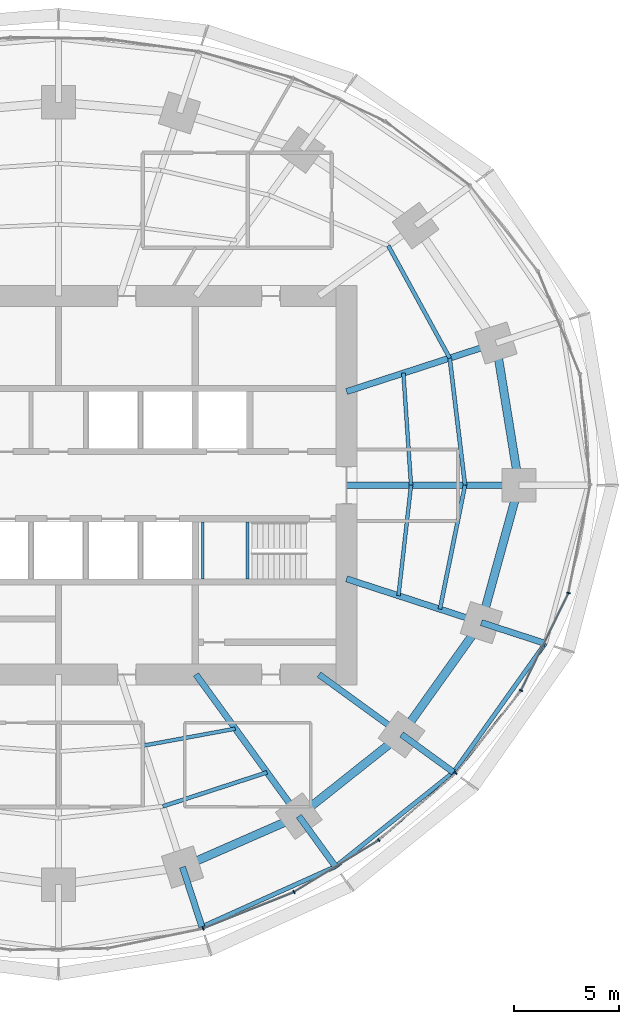
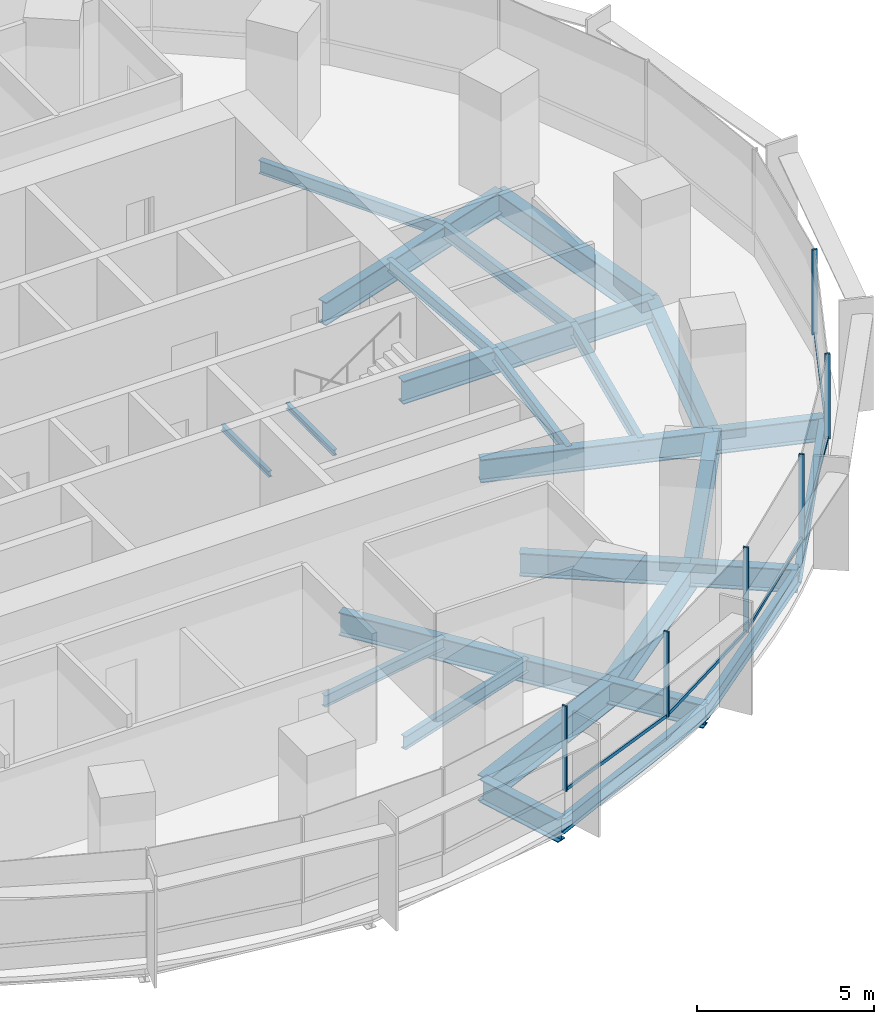
# One storey, part 5 of 14: 26 beams, 11 members, 2 elements without a shape of their own.
"""IFC4 building model written with IfcOpenShell, lengths in metres."""

import ifcopenshell
import ifcopenshell.guid

model = None  # the IFC model being written
_history = None  # IfcOwnerHistory: only IFC2X3 demands one
_inside = {}  # id of a spatial element -> (the spatial element, [elements in it])
_under = {}  # id of a project, library or spatial element -> (it, [spatial elements below it])
_declared = {}  # id of a project -> (the project, [libraries it declares])
_typed = {}  # id of a type object -> (the type object, [elements of that type])
_made_of = {}  # id of a material, layer set ... -> (it, [elements and type objects made of it])


def new_model(schema):
    """Start an empty IFC model of exactly this schema.

    Asked for "IFC4X3", IfcOpenShell would pick the latest addendum, in which some entities
    have other attributes; the version numbers below select the first issue.
    IFC2X3 requires an IfcOwnerHistory on every rooted entity: one is made here for all.
    """
    global model, _history
    if schema == "IFC4X3":
        model = ifcopenshell.file(schema_version=(4, 3, 0, 0))
    else:
        model = ifcopenshell.file(schema=schema)
    _inside.clear()
    _under.clear()
    _declared.clear()
    _typed.clear()
    _made_of.clear()
    _history = None
    if model.schema == "IFC2X3":
        org = make("IfcOrganization", Name="unknown")
        user = make(
            "IfcPersonAndOrganization",
            ThePerson=make("IfcPerson", FamilyName="unknown"),
            TheOrganization=org,
        )
        app = make(
            "IfcApplication",
            ApplicationDeveloper=org,
            Version="unknown",
            ApplicationFullName="unknown",
            ApplicationIdentifier="unknown",
        )
        _history = make(
            "IfcOwnerHistory",
            OwningUser=user,
            OwningApplication=app,
            ChangeAction="ADDED",
            CreationDate=0,
        )
    return model


def make(cls, **values):
    """One entity of the class cls with the attributes given. An attribute that is None is left unset."""
    return model.create_entity(
        cls, **{name: value for name, value in values.items() if value is not None}
    )


def rooted(cls, **values):
    """An entity with a GlobalId (a new one), such as an element, a storey or a relation."""
    return make(cls, GlobalId=ifcopenshell.guid.new(), OwnerHistory=_history, **values)


def si_unit(unit_type, name, prefix=None):
    """IfcSIUnit, for example si_unit("LENGTHUNIT", "METRE", prefix="MILLI")."""
    return make("IfcSIUnit", UnitType=unit_type, Prefix=prefix, Name=name)


def assignment(units):
    """IfcUnitAssignment: the units of a project."""
    return None if units is None else make("IfcUnitAssignment", Units=units)


def point(xyz):
    """IfcCartesianPoint."""
    return None if xyz is None else make("IfcCartesianPoint", Coordinates=xyz)


def direction(xyz):
    """IfcDirection."""
    return None if xyz is None else make("IfcDirection", DirectionRatios=xyz)


def frame(location, z_axis=None, x_axis=None):
    """IfcAxis2Placement3D, a coordinate frame: its origin and axes. An axis left out is left unset."""
    return make(
        "IfcAxis2Placement3D",
        Location=point(location),
        Axis=direction(z_axis),
        RefDirection=direction(x_axis),
    )


def frame_2d(location, x_axis=None):
    """IfcAxis2Placement2D, a coordinate frame in the plane: its origin and x axis."""
    return make(
        "IfcAxis2Placement2D", Location=point(location), RefDirection=direction(x_axis)
    )


def origin():
    """The frame at (0, 0, 0) with its axes left unset."""
    return frame((0.0, 0.0, 0.0))


def origin_2d():
    """The frame at (0, 0) in the plane with its x axis left unset."""
    return frame_2d((0.0, 0.0))


def place(relative_to, where):
    """IfcLocalPlacement: puts the frame where relative to a parent placement (None: the world)."""
    return make(
        "IfcLocalPlacement", PlacementRelTo=relative_to, RelativePlacement=where
    )


def context(
    kind, dimensions, precision=None, world=None, true_north=None, identifier=None
):
    """IfcGeometricRepresentationContext, for example the 3D "Model" context."""
    return make(
        "IfcGeometricRepresentationContext",
        ContextIdentifier=identifier,
        ContextType=kind,
        CoordinateSpaceDimension=dimensions,
        Precision=precision,
        WorldCoordinateSystem=world,
        TrueNorth=true_north,
    )


def subcontext(parent, identifier, kind, view, scale=None):
    """IfcGeometricRepresentationSubContext, for example "Body" below "Model"."""
    return make(
        "IfcGeometricRepresentationSubContext",
        ContextIdentifier=identifier,
        ContextType=kind,
        ParentContext=parent,
        TargetScale=scale,
        TargetView=view,
    )


def project(units=None, contexts=None):
    """IfcProject with its units and contexts."""
    return rooted(
        "IfcProject",
        Name="project",
        RepresentationContexts=contexts,
        UnitsInContext=assignment(units),
    )


def spatial(cls, under=None, at=None, **own):
    """A site, building, storey or space (cls), placed at a placement, below another one or the project."""
    s = rooted(cls, ObjectPlacement=at, **own)
    if under is not None:
        _under.setdefault(under.id(), (under, []))[1].append(s)
    return s


def profile(cls, at=None, kind="AREA", **sizes):
    """A parametric profile (cls). Its sizes go by their IFC names, for example OverallWidth=200.0."""
    return make(cls, ProfileType=kind, Position=at, **sizes)


def rectangle(**sizes):
    """IfcRectangleProfileDef."""
    return profile("IfcRectangleProfileDef", **sizes)


def i_section(**sizes):
    """IfcIShapeProfileDef."""
    return profile("IfcIShapeProfileDef", **sizes)


def extrude(swept, where, along, depth):
    """IfcExtrudedAreaSolid: the profile swept, set in the frame where, extruded along a direction by depth."""
    return make(
        "IfcExtrudedAreaSolid",
        SweptArea=swept,
        Position=where,
        ExtrudedDirection=direction(along),
        Depth=depth,
    )


def shape(context_of_items, identifier, shape_type, items):
    """IfcShapeRepresentation: the items that make up one representation, for example the "Body"."""
    return make(
        "IfcShapeRepresentation",
        ContextOfItems=context_of_items,
        RepresentationIdentifier=identifier,
        RepresentationType=shape_type,
        Items=items,
    )


def material(Name=None, Category=None):
    """IfcMaterial."""
    return make("IfcMaterial", Name=Name, Category=Category)


def material_profile(
    of_material, cross_section, Name=None, Category=None, Priority=None
):
    """IfcMaterialProfile: a cross section and its material."""
    return make(
        "IfcMaterialProfile",
        Name=Name,
        Material=of_material,
        Profile=cross_section,
        Priority=Priority,
        Category=Category,
    )


def profile_set(profiles, Name=None, composite=None):
    """IfcMaterialProfileSet."""
    return make(
        "IfcMaterialProfileSet",
        Name=Name,
        MaterialProfiles=profiles,
        CompositeProfile=composite,
    )


def made_of(thing, what):
    """Note that an element or type object is made of a material, layer set ...; save() writes the relation."""
    if what is not None:
        _made_of.setdefault(what.id(), (what, []))[1].append(thing)
    return thing


def type_object(cls, material=None, **own):
    """A type object (cls), such as IfcWallType, which elements share."""
    return made_of(rooted(cls, **own), material)


def element(
    cls,
    number,
    at=None,
    inside=None,
    cuts=None,
    type_object=None,
    material=None,
    context=None,
    identifier="Body",
    shape_type=None,
    held_by="IfcProductDefinitionShape",
    body=None,
    shapes=None,
    **own,
):
    """One element of the class cls, such as IfcWall. Its Tag is "e" and its number.

    at: its placement. inside: the storey or other place that contains it. cuts: it is an
    opening in that element (IfcRelVoidsElement). A single representation is given by context,
    identifier, shape_type and body (its items); several are given by shapes. held_by: the class
    of the entity that holds the representations. save() writes the other relations.
    """
    e = rooted(cls, Tag="e%d" % number, ObjectPlacement=at, **own)
    if body is not None:
        shapes = [shape(context, identifier, shape_type, body)]
    if shapes is not None:
        e.Representation = make(held_by, Representations=shapes)
    if inside is not None:
        _inside.setdefault(inside.id(), (inside, []))[1].append(e)
    if cuts is not None:
        rooted(
            "IfcRelVoidsElement", RelatingBuildingElement=cuts, RelatedOpeningElement=e
        )
    if type_object is not None:
        _typed.setdefault(type_object.id(), (type_object, []))[1].append(e)
    return made_of(e, material)


def aggregate(whole, parts):
    """IfcRelAggregates: a whole, such as a stair, and the parts it consists of."""
    return rooted("IfcRelAggregates", RelatingObject=whole, RelatedObjects=parts)


def save(model, path):
    """Write the relations noted so far, then the file.

    IfcRelAggregates (storeys below a building ...), IfcRelContainedInSpatialStructure (elements
    in a storey), IfcRelDefinesByType, IfcRelAssociatesMaterial and IfcRelDeclares: one each for
    every whole, place, type object, material and project.
    """
    for whole, parts in _under.values():
        aggregate(whole, parts)
    for where, things in _inside.values():
        rooted(
            "IfcRelContainedInSpatialStructure",
            RelatedElements=things,
            RelatingStructure=where,
        )
    for kind, things in _typed.values():
        rooted("IfcRelDefinesByType", RelatedObjects=things, RelatingType=kind)
    for what, things in _made_of.values():
        rooted("IfcRelAssociatesMaterial", RelatedObjects=things, RelatingMaterial=what)
    for by, libraries in _declared.values():
        rooted("IfcRelDeclares", RelatingContext=by, RelatedDefinitions=libraries)
    model.write(path)


model = new_model("IFC4")

# Units and contexts
model_context = context("Model", 3, precision=1e-05, world=origin(), true_north=direction((0.0, 1.0)))
body_context = subcontext(model_context, "Body", "Model", "MODEL_VIEW")
ifc_project = project(units=[si_unit("LENGTHUNIT", "METRE"), si_unit("AREAUNIT", "SQUARE_METRE"), si_unit("VOLUMEUNIT", "CUBIC_METRE"), si_unit("PLANEANGLEUNIT", "RADIAN"), si_unit("MASSUNIT", "GRAM", prefix="KILO")], contexts=[model_context])

# Site, building, storey
site_placement = place(None, origin())
site = spatial("IfcSite", under=ifc_project, at=site_placement, CompositionType="ELEMENT")
building_placement = place(site_placement, origin())
building = spatial("IfcBuilding", under=site, at=building_placement, Name="Marramba Exchange Tower", CompositionType="ELEMENT")
storey_placement = place(building_placement, frame((0.0, 0.0, 135.300048828125)))
storey = spatial("IfcBuildingStorey", under=building, at=storey_placement, Name="L32", CompositionType="ELEMENT", Elevation=135.300048828125)

# Beams
ifc_material_1 = material(Name="Steel AS/NZS 3679.2 grade 300", Category="steel")
ifc_material_profile_1 = material_profile(ifc_material_1, i_section(OverallWidth=0.300048828125, OverallDepth=0.800048828125, WebThickness=0.013916015625, FlangeThickness=0.031982421875, at=origin_2d()), Name="800WB192")
ifc_profile_set_1 = profile_set([ifc_material_profile_1], Name="Steel AS/NZS 3679.2 grade 300")
beam_type_1 = type_object("IfcBeamType", Name="Cantilever girder 800WB192", PredefinedType="BEAM", material=ifc_profile_set_1)
beam_1_placement = place(storey_placement, frame((5.899658203125, -18.156982421875, -0.56005859375), z_axis=(0.30903246226, -0.951051490336, 0.0), x_axis=(0.951051490336, 0.30903246226, 0.0)))
element("IfcBeam", 1, at=beam_1_placement, inside=storey, type_object=beam_type_1, Name="Cantilever girder L32 TC17", PredefinedType="BEAM", context=body_context, shape_type="SweptSolid", body=[
    extrude(i_section(OverallWidth=0.300048828125, OverallDepth=0.800048828125, WebThickness=0.013916015625, FlangeThickness=0.031982421875, at=origin_2d()), origin(), (0.0, 0.0, 1.0), 2.986328125),
])
beam_2_placement = place(storey_placement, frame((11.430419921875, -15.732666015625, -0.56005859375), z_axis=(0.587794986183, -0.8090099222, 0.0), x_axis=(0.8090099222, 0.587794986183, 0.0)))
element("IfcBeam", 2, at=beam_2_placement, inside=storey, type_object=beam_type_1, Name="Cantilever girder L32 TC18", PredefinedType="BEAM", context=body_context, shape_type="SweptSolid", body=[
    extrude(i_section(OverallWidth=0.300048828125, OverallDepth=0.800048828125, WebThickness=0.013916015625, FlangeThickness=0.031982421875, at=origin_2d()), origin(), (0.0, 0.0, 1.0), 2.9677734375),
])
beam_3_placement = place(storey_placement, frame((16.3154296875, -11.853759765625, -0.56005859375), z_axis=(0.809026231081, -0.587772538847, 0.0), x_axis=(0.587772538847, 0.809026231081, 0.0)))
element("IfcBeam", 3, at=beam_3_placement, inside=storey, type_object=beam_type_1, Name="Cantilever girder L32 TC19", PredefinedType="BEAM", context=body_context, shape_type="SweptSolid", body=[
    extrude(i_section(OverallWidth=0.300048828125, OverallDepth=0.800048828125, WebThickness=0.013916015625, FlangeThickness=0.031982421875, at=origin_2d()), origin(), (0.0, 0.0, 1.0), 3.055419921875),
])
beam_4_placement = place(storey_placement, frame((20.109375, -6.533935546875, -0.56005859375), z_axis=(0.951054839063, -0.309022156318, 0.0), x_axis=(0.309022156318, 0.951054839063, 0.0)))
element("IfcBeam", 4, at=beam_4_placement, inside=storey, type_object=beam_type_1, Name="Cantilever girder L32 TC20", PredefinedType="BEAM", context=body_context, shape_type="SweptSolid", body=[
    extrude(i_section(OverallWidth=0.300048828125, OverallDepth=0.800048828125, WebThickness=0.013916015625, FlangeThickness=0.031982421875, at=origin_2d()), origin(), (0.0, 0.0, 1.0), 3.19580078125),
])
ifc_material_2 = material(Name="Steel AS/NZS 3679.1 grade 300", Category="steel")
ifc_material_profile_2 = material_profile(ifc_material_2, i_section(OverallWidth=0.177978515625, OverallDepth=0.406005859375, WebThickness=0.0078125, FlangeThickness=0.0126953125, FilletRadius=0.011474609375, at=origin_2d()), Name="410UB59.7")
ifc_profile_set_2 = profile_set([ifc_material_profile_2], Name="Steel AS/NZS 3679.1 grade 300")
beam_type_2 = type_object("IfcBeamType", Name="Floor joist 410UB59.7", PredefinedType="JOIST", material=ifc_profile_set_2)
beam_5_placement = place(storey_placement, frame((16.7666015625, 0.0, -0.363037109375), z_axis=(-0.068096259546, 0.99767875563, 0.0), x_axis=(-0.99767875563, -0.068096259546, 0.0)))
element("IfcBeam", 5, at=beam_5_placement, inside=storey, type_object=beam_type_2, Name="Joist L32 bay 01 row 1", PredefinedType="JOIST", context=body_context, shape_type="SweptSolid", body=[
    extrude(i_section(OverallWidth=0.177978515625, OverallDepth=0.406005859375, WebThickness=0.0078125, FlangeThickness=0.0126953125, FilletRadius=0.011474609375, at=origin_2d()), origin(), (0.0, 0.0, 1.0), 5.342041015625),
])
beam_6_placement = place(storey_placement, frame((4.0244140625, -12.3857421875, -0.363037109375), z_axis=(0.983455754421, 0.181148500119, 0.0), x_axis=(-0.181148500119, 0.983455754421, 0.0)))
element("IfcBeam", 6, at=beam_6_placement, inside=storey, type_object=beam_type_2, Name="Joist L32 bay 17 row 1", PredefinedType="JOIST", context=body_context, shape_type="SweptSolid", body=[
    extrude(i_section(OverallWidth=0.177978515625, OverallDepth=0.406005859375, WebThickness=0.0078125, FlangeThickness=0.0126953125, FilletRadius=0.011474609375, at=origin_2d()), origin(), (0.0, 0.0, 1.0), 4.4609375),
])
beam_7_placement = place(storey_placement, frame((16.169677734375, -5.25390625, -0.363037109375), z_axis=(0.112888968594, 0.993607609054, 0.0), x_axis=(-0.993607609054, 0.112888968594, 0.0)))
element("IfcBeam", 7, at=beam_7_placement, inside=storey, type_object=beam_type_2, Name="Joist L32 bay 20 row 1", PredefinedType="JOIST", context=body_context, shape_type="SweptSolid", body=[
    extrude(i_section(OverallWidth=0.177978515625, OverallDepth=0.406005859375, WebThickness=0.0078125, FlangeThickness=0.0126953125, FilletRadius=0.011474609375, at=origin_2d()), origin(), (0.0, 0.0, 1.0), 5.28759765625),
])
ifc_material_profile_3 = material_profile(ifc_material_2, i_section(OverallWidth=0.18994140625, OverallDepth=0.4541015625, WebThickness=0.008544921875, FlangeThickness=0.0126953125, FilletRadius=0.011474609375, at=origin_2d()), Name="460UB67.1")
ifc_profile_set_3 = profile_set([ifc_material_profile_3], Name="Steel AS/NZS 3679.1 grade 300")
beam_type_3 = type_object("IfcBeamType", Name="Floor joist 460UB67.1", PredefinedType="JOIST", material=ifc_profile_set_3)
beam_8_placement = place(storey_placement, frame((19.333251953125, 0.0, -0.386962890625), z_axis=(-0.119523078538, 0.992831422597, 0.0), x_axis=(-0.992831422597, -0.119523078538, 0.0)))
element("IfcBeam", 8, at=beam_8_placement, inside=storey, type_object=beam_type_3, Name="Joist L32 bay 01 row 2", PredefinedType="JOIST", context=body_context, shape_type="SweptSolid", body=[
    extrude(i_section(OverallWidth=0.18994140625, OverallDepth=0.4541015625, WebThickness=0.008544921875, FlangeThickness=0.0126953125, FilletRadius=0.011474609375, at=origin_2d()), origin(), (0.0, 0.0, 1.0), 6.089111328125),
])
beam_9_placement = place(storey_placement, frame((18.60546875, 6.04541015625, -0.386962890625), z_axis=(-0.479584443791, 0.877495732909, 0.0), x_axis=(-0.877495732909, -0.479584443791, 0.0)))
element("IfcBeam", 9, at=beam_9_placement, inside=storey, type_object=beam_type_3, Name="Joist L32 bay 02 row 2", PredefinedType="JOIST", context=body_context, shape_type="SweptSolid", body=[
    extrude(i_section(OverallWidth=0.18994140625, OverallDepth=0.4541015625, WebThickness=0.008544921875, FlangeThickness=0.0126953125, FilletRadius=0.011474609375, at=origin_2d()), origin(), (0.0, 0.0, 1.0), 6.094970703125),
])
beam_10_placement = place(storey_placement, frame((4.9619140625, -15.271484375, -0.386962890625), z_axis=(0.950764024931, 0.309915744834, 0.0), x_axis=(-0.309915744834, 0.950764024931, 0.0)))
element("IfcBeam", 10, at=beam_10_placement, inside=storey, type_object=beam_type_3, Name="Joist L32 bay 17 row 2", PredefinedType="JOIST", context=body_context, shape_type="SweptSolid", body=[
    extrude(i_section(OverallWidth=0.18994140625, OverallDepth=0.4541015625, WebThickness=0.008544921875, FlangeThickness=0.0126953125, FilletRadius=0.011474609375, at=origin_2d()), origin(), (0.0, 0.0, 1.0), 5.2158203125),
])
beam_11_placement = place(storey_placement, frame((18.1396484375, -5.893798828125, -0.386962890625), z_axis=(0.198489047047, 0.980103105904, 0.0), x_axis=(-0.980103105904, 0.198489047047, 0.0)))
element("IfcBeam", 11, at=beam_11_placement, inside=storey, type_object=beam_type_3, Name="Joist L32 bay 20 row 2", PredefinedType="JOIST", context=body_context, shape_type="SweptSolid", body=[
    extrude(i_section(OverallWidth=0.18994140625, OverallDepth=0.4541015625, WebThickness=0.008544921875, FlangeThickness=0.0126953125, FilletRadius=0.011474609375, at=origin_2d()), origin(), (0.0, 0.0, 1.0), 6.013427734375),
])

# Curtain wall, member
ifc_material_3 = material(Name="Aluminium framing, bronze anodised", Category="aluminium")
curtain_wall_type = type_object("IfcCurtainWallType", Name="Office ribbon curtain wall", PredefinedType="USERDEFINED", material=ifc_material_3)
curtain_wall_1_placement = place(storey_placement, origin())
curtain_wall_1 = element("IfcCurtainWall", 12, at=curtain_wall_1_placement, inside=storey, type_object=curtain_wall_type, Name="Curtain wall CW4 L32 F21-F25", ObjectType="RIBBON CURTAIN WALL", PredefinedType="USERDEFINED")
ifc_material_4 = material(Name="Aluminium mullion, bronze anodised", Category="aluminium")
ifc_material_profile_4 = material_profile(ifc_material_4, rectangle(XDim=0.159912109375, YDim=0.06005859375, at=origin_2d()), Name="CW4 mullion 60x160")
ifc_profile_set_4 = profile_set([ifc_material_profile_4], Name="Aluminium mullion, bronze anodised")
member_type_1 = type_object("IfcMemberType", Name="Office ribbon curtain wall mullion", PredefinedType="MULLION", material=ifc_profile_set_4)
member_1_placement = place(storey_placement, frame((6.881103515625, -21.0810546875, 0.800048828125), z_axis=(0.0, 0.0, 1.0), x_axis=(-0.372209067082, 0.928148916059, 0.0)))
member_1 = element("IfcMember", 13, at=member_1_placement, type_object=member_type_1, Name="CW4 mullion 1", PredefinedType="MULLION", context=body_context, shape_type="SweptSolid", body=[
    extrude(rectangle(XDim=0.159912109375, YDim=0.06005859375, at=origin_2d()), origin(), (0.0, 0.0, 1.0), 2.93994140625),
])

# Curtain wall, members
curtain_wall_2_placement = place(storey_placement, origin())
curtain_wall_2 = element("IfcCurtainWall", 14, at=curtain_wall_2_placement, inside=storey, type_object=curtain_wall_type, Name="Curtain wall CW4 L32 F26-F30", ObjectType="RIBBON CURTAIN WALL", PredefinedType="USERDEFINED")
member_2_placement = place(storey_placement, frame((11.2021484375, -19.3427734375, 0.800048828125), z_axis=(0.0, 0.0, 1.0), x_axis=(-0.521732535664, 0.853109114492, 0.0)))
member_2 = element("IfcMember", 15, at=member_2_placement, type_object=member_type_1, Name="CW4 mullion 1", PredefinedType="MULLION", context=body_context, shape_type="SweptSolid", body=[
    extrude(rectangle(XDim=0.159912109375, YDim=0.06005859375, at=origin_2d()), origin(), (0.0, 0.0, 1.0), 2.93994140625),
])
member_3_placement = place(storey_placement, frame((15.232177734375, -16.872314453125, 0.800048828125), z_axis=(0.0, 0.0, 1.0), x_axis=(-0.656431647438, 0.754385506384, 0.0)))
member_3 = element("IfcMember", 16, at=member_3_placement, type_object=member_type_1, Name="CW4 mullion 1", PredefinedType="MULLION", context=body_context, shape_type="SweptSolid", body=[
    extrude(rectangle(XDim=0.159912109375, YDim=0.06005859375, at=origin_2d()), origin(), (0.0, 0.0, 1.0), 2.93994140625),
])
member_4_placement = place(storey_placement, frame((18.886962890625, -13.68505859375, 0.800048828125), z_axis=(0.0, 0.0, 1.0), x_axis=(-0.783170139469, 0.621807472329, 0.0)))
member_4 = element("IfcMember", 17, at=member_4_placement, type_object=member_type_1, Name="CW4 mullion 1", PredefinedType="MULLION", context=body_context, shape_type="SweptSolid", body=[
    extrude(rectangle(XDim=0.159912109375, YDim=0.06005859375, at=origin_2d()), origin(), (0.0, 0.0, 1.0), 2.93994140625),
])
member_5_placement = place(storey_placement, frame((21.994873046875, -9.760009765625, 0.800048828125), z_axis=(0.0, 0.0, 1.0), x_axis=(-0.89844486976, 0.439086342308, 0.0)))
member_5 = element("IfcMember", 18, at=member_5_placement, type_object=member_type_1, Name="CW4 mullion 1", PredefinedType="MULLION", context=body_context, shape_type="SweptSolid", body=[
    extrude(rectangle(XDim=0.159912109375, YDim=0.06005859375, at=origin_2d()), origin(), (0.0, 0.0, 1.0), 2.93994140625),
])
member_6_placement = place(storey_placement, frame((24.252197265625, -5.124267578125, 0.800048828125), z_axis=(0.0, 0.0, 1.0), x_axis=(-0.980393739376, 0.197048511267, 0.0)))
member_6 = element("IfcMember", 19, at=member_6_placement, type_object=member_type_1, Name="CW4 mullion 1", PredefinedType="MULLION", context=body_context, shape_type="SweptSolid", body=[
    extrude(rectangle(XDim=0.159912109375, YDim=0.06005859375, at=origin_2d()), origin(), (0.0, 0.0, 1.0), 2.93994140625),
])

# Member
ifc_material_5 = material(Name="Aluminium transom, bronze anodised", Category="aluminium")
ifc_material_profile_5 = material_profile(ifc_material_5, rectangle(XDim=0.06005859375, YDim=0.1201171875, at=origin_2d()), Name="CW4 transom 60x120")
ifc_profile_set_5 = profile_set([ifc_material_profile_5], Name="Aluminium transom, bronze anodised")
member_type_2 = type_object("IfcMemberType", Name="Office ribbon curtain wall transom", PredefinedType="USERDEFINED", material=ifc_profile_set_5)
member_7_placement = place(storey_placement, frame((6.908935546875, -21.06982421875, 0.829833984375), z_axis=(0.928146753748, 0.372214459026, 0.0), x_axis=(-0.372214459026, 0.928146753748, 0.0)))
member_7 = element("IfcMember", 20, at=member_7_placement, type_object=member_type_2, Name="CW4 sill transom", ObjectType="TRANSOM", PredefinedType="USERDEFINED", context=body_context, shape_type="SweptSolid", body=[
    extrude(rectangle(XDim=0.06005859375, YDim=0.1201171875, at=origin_2d()), origin(), (0.0, 0.0, 1.0), 4.597900390625),
])

aggregate(curtain_wall_1, [member_1, member_7])

member_8_placement = place(storey_placement, frame((11.227783203125, -19.3271484375, 0.829833984375), z_axis=(0.853124051379, 0.52170811088, 0.0), x_axis=(-0.52170811088, 0.853124051379, 0.0)))
member_8 = element("IfcMember", 21, at=member_8_placement, type_object=member_type_2, Name="CW4 sill transom", ObjectType="TRANSOM", PredefinedType="USERDEFINED", context=body_context, shape_type="SweptSolid", body=[
    extrude(rectangle(XDim=0.06005859375, YDim=0.1201171875, at=origin_2d()), origin(), (0.0, 0.0, 1.0), 4.66748046875),
])

member_9_placement = place(storey_placement, frame((15.2548828125, -16.8525390625, 0.829833984375), z_axis=(0.754392594189, 0.65642350189, 0.0), x_axis=(-0.65642350189, 0.754392594189, 0.0)))
member_9 = element("IfcMember", 22, at=member_9_placement, type_object=member_type_2, Name="CW4 sill transom", ObjectType="TRANSOM", PredefinedType="USERDEFINED", context=body_context, shape_type="SweptSolid", body=[
    extrude(rectangle(XDim=0.06005859375, YDim=0.1201171875, at=origin_2d()), origin(), (0.0, 0.0, 1.0), 4.78955078125),
])

member_10_placement = place(storey_placement, frame((18.905517578125, -13.66162109375, 0.829833984375), z_axis=(0.621777997945, 0.783193540111, 0.0), x_axis=(-0.783193540111, 0.621777997945, 0.0)))
member_10 = element("IfcMember", 23, at=member_10_placement, type_object=member_type_2, Name="CW4 sill transom", ObjectType="TRANSOM", PredefinedType="USERDEFINED", context=body_context, shape_type="SweptSolid", body=[
    extrude(rectangle(XDim=0.06005859375, YDim=0.1201171875, at=origin_2d()), origin(), (0.0, 0.0, 1.0), 4.947265625),
])

member_11_placement = place(storey_placement, frame((22.008056640625, -9.73291015625, 0.829833984375), z_axis=(0.439090714557, 0.898442732949, 0.0), x_axis=(-0.898442732949, 0.439090714557, 0.0)))
member_11 = element("IfcMember", 24, at=member_11_placement, type_object=member_type_2, Name="CW4 sill transom", ObjectType="TRANSOM", PredefinedType="USERDEFINED", context=body_context, shape_type="SweptSolid", body=[
    extrude(rectangle(XDim=0.06005859375, YDim=0.1201171875, at=origin_2d()), origin(), (0.0, 0.0, 1.0), 5.096923828125),
])

aggregate(curtain_wall_2, [member_2, member_8, member_3, member_9, member_4, member_10, member_5, member_11, member_6])

# Beams
ifc_material_profile_6 = material_profile(ifc_material_1, i_section(OverallWidth=0.300048828125, OverallDepth=0.800048828125, WebThickness=0.013916015625, FlangeThickness=0.031982421875, at=origin_2d()), Name="800WB192")
ifc_profile_set_6 = profile_set([ifc_material_profile_6], Name="Steel AS/NZS 3679.2 grade 300")
beam_type_4 = type_object("IfcBeamType", Name="Radial girder 800WB192", PredefinedType="BEAM", material=ifc_profile_set_6)
beam_12_placement = place(storey_placement, frame((13.699951171875, 0.0, -0.56005859375), z_axis=(1.0, 0.0, 0.0), x_axis=(0.0, 1.0, 0.0)))
element("IfcBeam", 25, at=beam_12_placement, inside=storey, type_object=beam_type_4, Name="Radial girder L32 TC01", PredefinedType="BEAM", context=body_context, shape_type="SweptSolid", body=[
    extrude(i_section(OverallWidth=0.300048828125, OverallDepth=0.800048828125, WebThickness=0.013916015625, FlangeThickness=0.031982421875, at=origin_2d()), origin(), (0.0, 0.0, 1.0), 8.199951171875),
])
beam_13_placement = place(storey_placement, frame((13.699951171875, 4.451416015625, -0.56005859375), z_axis=(0.951059990189, 0.309006302624, 0.0), x_axis=(-0.309006302624, 0.951059990189, 0.0)))
element("IfcBeam", 26, at=beam_13_placement, inside=storey, type_object=beam_type_4, Name="Radial girder L32 TC02", PredefinedType="BEAM", context=body_context, shape_type="SweptSolid", body=[
    extrude(i_section(OverallWidth=0.300048828125, OverallDepth=0.800048828125, WebThickness=0.013916015625, FlangeThickness=0.031982421875, at=origin_2d()), origin(), (0.0, 0.0, 1.0), 7.47412109375),
])
beam_14_placement = place(storey_placement, frame((6.538818359375, -9.0, -0.56005859375), z_axis=(0.587787877172, -0.809015087282, 0.0), x_axis=(0.809015087282, 0.587787877172, 0.0)))
element("IfcBeam", 27, at=beam_14_placement, inside=storey, type_object=beam_type_4, Name="Radial girder L32 TC18", PredefinedType="BEAM", context=body_context, shape_type="SweptSolid", body=[
    extrude(i_section(OverallWidth=0.300048828125, OverallDepth=0.800048828125, WebThickness=0.013916015625, FlangeThickness=0.031982421875, at=origin_2d()), origin(), (0.0, 0.0, 1.0), 8.322021484375),
])
beam_15_placement = place(storey_placement, frame((12.387451171875, -9.0, -0.56005859375), z_axis=(0.809025189606, -0.58777397236, 0.0), x_axis=(0.58777397236, 0.809025189606, 0.0)))
element("IfcBeam", 28, at=beam_15_placement, inside=storey, type_object=beam_type_4, Name="Radial girder L32 TC19", PredefinedType="BEAM", context=body_context, shape_type="SweptSolid", body=[
    extrude(i_section(OverallWidth=0.300048828125, OverallDepth=0.800048828125, WebThickness=0.013916015625, FlangeThickness=0.031982421875, at=origin_2d()), origin(), (0.0, 0.0, 1.0), 4.855224609375),
])
beam_16_placement = place(storey_placement, frame((13.699951171875, -4.451416015625, -0.56005859375), z_axis=(0.951057759669, -0.309013167637, 0.0), x_axis=(0.309013167637, 0.951057759669, 0.0)))
element("IfcBeam", 29, at=beam_16_placement, inside=storey, type_object=beam_type_4, Name="Radial girder L32 TC20", PredefinedType="BEAM", context=body_context, shape_type="SweptSolid", body=[
    extrude(i_section(OverallWidth=0.300048828125, OverallDepth=0.800048828125, WebThickness=0.013916015625, FlangeThickness=0.031982421875, at=origin_2d()), origin(), (0.0, 0.0, 1.0), 6.7392578125),
])
ifc_material_profile_7 = material_profile(ifc_material_1, i_section(OverallWidth=0.39990234375, OverallDepth=0.89990234375, WebThickness=0.01611328125, FlangeThickness=0.031982421875, at=origin_2d()), Name="900WB282")
ifc_profile_set_7 = profile_set([ifc_material_profile_7], Name="Steel AS/NZS 3679.2 grade 300")
beam_type_5 = type_object("IfcBeamType", Name="Ring beam 900WB282", PredefinedType="SPANDREL", material=ifc_profile_set_7)
beam_17_placement = place(storey_placement, frame((21.89990234375, 0.0, -0.610107421875), z_axis=(-0.159384865399, 0.987216523708, 0.0), x_axis=(-0.987216523708, -0.159384865399, 0.0)))
element("IfcBeam", 30, at=beam_17_placement, inside=storey, type_object=beam_type_5, Name="Ring beam L32 TC01-TC02", PredefinedType="SPANDREL", context=body_context, shape_type="SweptSolid", body=[
    extrude(i_section(OverallWidth=0.39990234375, OverallDepth=0.89990234375, WebThickness=0.01611328125, FlangeThickness=0.031982421875, at=origin_2d()), origin(), (0.0, 0.0, 1.0), 6.8486328125),
])
beam_18_placement = place(storey_placement, frame((5.899658203125, -18.156982421875, -0.610107421875), z_axis=(0.915876892158, 0.4014592363, 0.0), x_axis=(-0.4014592363, 0.915876892158, 0.0)))
element("IfcBeam", 31, at=beam_18_placement, inside=storey, type_object=beam_type_5, Name="Ring beam L32 TC17-TC18", PredefinedType="SPANDREL", context=body_context, shape_type="SweptSolid", body=[
    extrude(i_section(OverallWidth=0.39990234375, OverallDepth=0.89990234375, WebThickness=0.01611328125, FlangeThickness=0.031982421875, at=origin_2d()), origin(), (0.0, 0.0, 1.0), 6.038818359375),
])
beam_19_placement = place(storey_placement, frame((11.430419921875, -15.732666015625, -0.610107421875), z_axis=(0.783139438128, 0.621846138887, 0.0), x_axis=(-0.621846138887, 0.783139438128, 0.0)))
element("IfcBeam", 32, at=beam_19_placement, inside=storey, type_object=beam_type_5, Name="Ring beam L32 TC18-TC19", PredefinedType="SPANDREL", context=body_context, shape_type="SweptSolid", body=[
    extrude(i_section(OverallWidth=0.39990234375, OverallDepth=0.89990234375, WebThickness=0.01611328125, FlangeThickness=0.031982421875, at=origin_2d()), origin(), (0.0, 0.0, 1.0), 6.23779296875),
])
beam_20_placement = place(storey_placement, frame((16.3154296875, -11.853759765625, -0.610107421875), z_axis=(0.580637181111, 0.814162430914, 0.0), x_axis=(-0.814162430914, 0.580637181111, 0.0)))
element("IfcBeam", 33, at=beam_20_placement, inside=storey, type_object=beam_type_5, Name="Ring beam L32 TC19-TC20", PredefinedType="SPANDREL", context=body_context, shape_type="SweptSolid", body=[
    extrude(i_section(OverallWidth=0.39990234375, OverallDepth=0.89990234375, WebThickness=0.01611328125, FlangeThickness=0.031982421875, at=origin_2d()), origin(), (0.0, 0.0, 1.0), 6.5341796875),
])
beam_21_placement = place(storey_placement, frame((20.109375, -6.533935546875, -0.610107421875), z_axis=(0.264291166956, 0.964442937176, 0.0), x_axis=(-0.964442937176, 0.264291166956, 0.0)))
element("IfcBeam", 34, at=beam_21_placement, inside=storey, type_object=beam_type_5, Name="Ring beam L32 TC20-TC01", PredefinedType="SPANDREL", context=body_context, shape_type="SweptSolid", body=[
    extrude(i_section(OverallWidth=0.39990234375, OverallDepth=0.89990234375, WebThickness=0.01611328125, FlangeThickness=0.031982421875, at=origin_2d()), origin(), (0.0, 0.0, 1.0), 6.77490234375),
])
ifc_material_profile_8 = material_profile(ifc_material_2, i_section(OverallWidth=0.208984375, OverallDepth=0.528076171875, WebThickness=0.009521484375, FlangeThickness=0.01318359375, FilletRadius=0.013916015625, at=origin_2d()), Name="530UB82.0")
ifc_profile_set_8 = profile_set([ifc_material_profile_8], Name="Steel AS/NZS 3679.1 grade 300")
beam_type_6 = type_object("IfcBeamType", Name="Slab edge beam 530UB82.0", PredefinedType="SPANDREL", material=ifc_profile_set_8)
beam_22_placement = place(storey_placement, frame((6.822509765625, -20.9970703125, -0.424072265625), z_axis=(0.911653171624, 0.410960453898, 0.0), x_axis=(-0.410960453898, 0.911653171624, 0.0)))
element("IfcBeam", 35, at=beam_22_placement, inside=storey, type_object=beam_type_6, Name="Slab edge beam L32 TC17-TC18", PredefinedType="SPANDREL", context=body_context, shape_type="SweptSolid", body=[
    extrude(i_section(OverallWidth=0.208984375, OverallDepth=0.528076171875, WebThickness=0.009521484375, FlangeThickness=0.01318359375, FilletRadius=0.013916015625, at=origin_2d()), origin(), (0.0, 0.0, 1.0), 6.9677734375),
])
beam_23_placement = place(storey_placement, frame((13.1748046875, -18.133544921875, -0.424072265625), z_axis=(0.781286404457, 0.624172695822, 0.0), x_axis=(-0.624172695822, 0.781286404457, 0.0)))
element("IfcBeam", 36, at=beam_23_placement, inside=storey, type_object=beam_type_6, Name="Slab edge beam L32 TC18-TC19", PredefinedType="SPANDREL", context=body_context, shape_type="SweptSolid", body=[
    extrude(i_section(OverallWidth=0.208984375, OverallDepth=0.528076171875, WebThickness=0.009521484375, FlangeThickness=0.01318359375, FilletRadius=0.013916015625, at=origin_2d()), origin(), (0.0, 0.0, 1.0), 7.183837890625),
])
beam_24_placement = place(storey_placement, frame((18.787353515625, -13.649658203125, -0.424072265625), z_axis=(0.579834168245, 0.814734519543, 0.0), x_axis=(-0.814734519543, 0.579834168245, 0.0)))
element("IfcBeam", 37, at=beam_24_placement, inside=storey, type_object=beam_type_6, Name="Slab edge beam L32 TC19-TC20", PredefinedType="SPANDREL", context=body_context, shape_type="SweptSolid", body=[
    extrude(i_section(OverallWidth=0.208984375, OverallDepth=0.528076171875, WebThickness=0.009521484375, FlangeThickness=0.01318359375, FilletRadius=0.013916015625, at=origin_2d()), origin(), (0.0, 0.0, 1.0), 7.521728515625),
])
ifc_material_profile_9 = material_profile(ifc_material_2, i_section(OverallWidth=0.133056640625, OverallDepth=0.202880859375, WebThickness=0.005859375, FlangeThickness=0.0078125, FilletRadius=0.0087890625, at=origin_2d()), Name="200UB25.4")
ifc_profile_set_9 = profile_set([ifc_material_profile_9], Name="Steel AS/NZS 3679.1 grade 300")
beam_type_7 = type_object("IfcBeamType", Name="Stair landing beam 200UB25.4", PredefinedType="BEAM", material=ifc_profile_set_9)
for number, where, z_axis, x_axis, name in (
    (38, (6.866455078125, -4.449951171875, 1.6484375), (0.0, 1.0, 0.0), (-1.0, 0.0, 0.0), "Stair landing beam SLB1 ST2 L32 1"),
    (39, (8.9833984375, -4.449951171875, 1.6484375), (0.0, 1.0, 0.0), (-1.0, 0.0, 0.0), "Stair landing beam SLB1 ST2 L32 2"),
):
    element("IfcBeam", number, at=place(storey_placement, frame(where, z_axis=z_axis, x_axis=x_axis)), inside=storey, type_object=beam_type_7, Name=name, PredefinedType="BEAM", context=body_context, shape_type="SweptSolid", body=[
        extrude(i_section(OverallWidth=0.133056640625, OverallDepth=0.202880859375, WebThickness=0.005859375, FlangeThickness=0.0078125, FilletRadius=0.0087890625, at=origin_2d()), origin(), (0.0, 0.0, 1.0), 2.699951171875),
    ])

save(model, "model.ifc")
